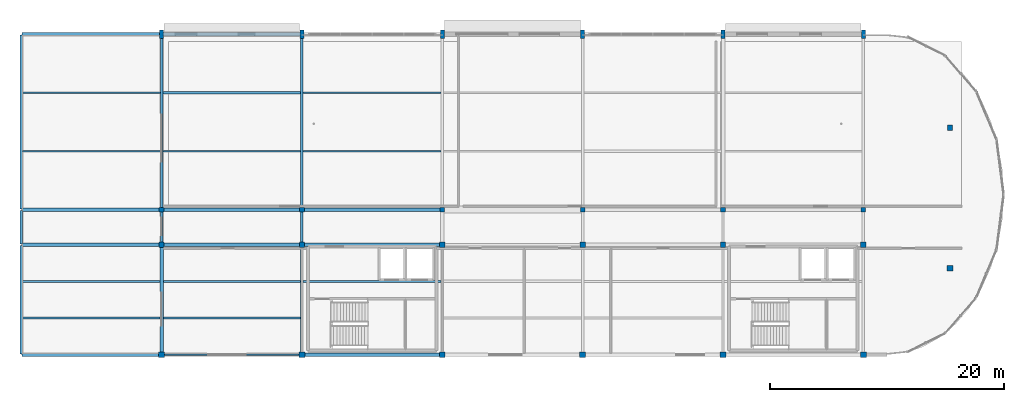
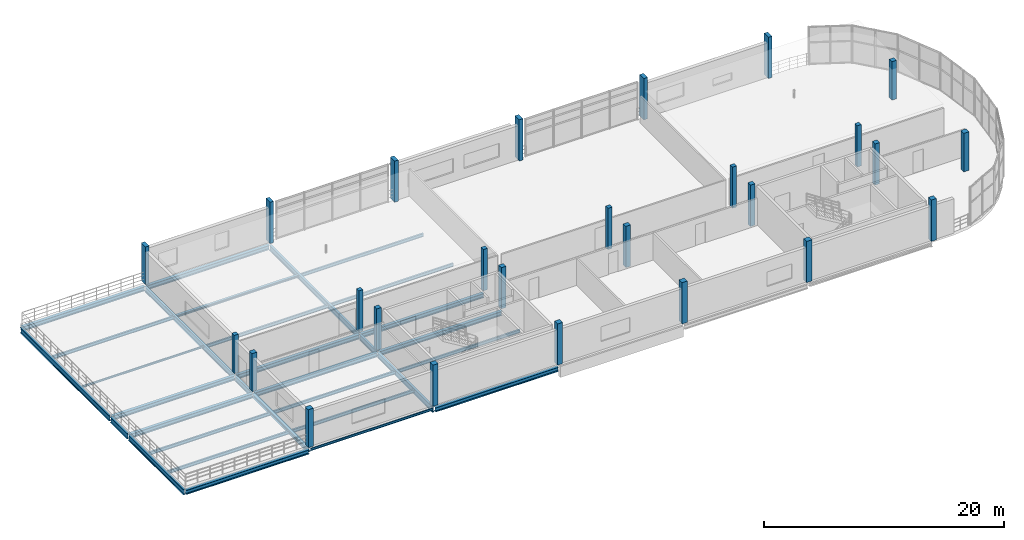
# One storey, part 1 of 13: 31 beams, 26 columns.
"""IFC4 building model written with IfcOpenShell, lengths in metres."""

from ifc_helpers import new_model, si_unit, direction, frame, origin, origin_2d, place, context, subcontext, project, spatial, rectangle, i_section, extrude, material, material_profile, profile_set, type_object, element, save


model = new_model("IFC4")

# Units and contexts
model_context = context("Model", 3, precision=1e-05, world=origin(), true_north=direction((0.0, 1.0)))
body_context = subcontext(model_context, "Body", "Model", "MODEL_VIEW")
ifc_project = project(units=[si_unit("LENGTHUNIT", "METRE"), si_unit("AREAUNIT", "SQUARE_METRE"), si_unit("VOLUMEUNIT", "CUBIC_METRE"), si_unit("PLANEANGLEUNIT", "RADIAN"), si_unit("MASSUNIT", "GRAM", prefix="KILO"), si_unit("THERMODYNAMICTEMPERATUREUNIT", "KELVIN"), si_unit("POWERUNIT", "WATT")], contexts=[model_context])

# Site, building, storey
site_placement = place(None, origin())
site = spatial("IfcSite", under=ifc_project, at=site_placement, CompositionType="ELEMENT")
building_placement = place(site_placement, origin())
building = spatial("IfcBuilding", under=site, at=building_placement, Name="Solmara Park Aquatics Centre", CompositionType="ELEMENT")
storey_placement = place(building_placement, frame((0.0, 0.0, 14.39990234375)))
storey = spatial("IfcBuildingStorey", under=building, at=storey_placement, Name="L03", CompositionType="ELEMENT", Elevation=14.39990234375)

# Columns
ifc_material_1 = material(Name="Concrete C40/50", Category="concrete")
ifc_material_profile_1 = material_profile(ifc_material_1, rectangle(XDim=0.35009765625, YDim=0.699951171875, at=origin_2d()), Name="RC 350x700")
ifc_profile_set_1 = profile_set([ifc_material_profile_1], Name="Concrete C40/50")
column_type_1 = type_object("IfcColumnType", Name="STR-COL-RC350x700", PredefinedType="COLUMN", material=ifc_profile_set_1)
column_1_placement = place(storey_placement, frame((36.60009765625, 136.0, 0.0), z_axis=(0.0, 0.0, 1.0), x_axis=(1.0, 0.0, 0.0)))
element("IfcColumn", 1, at=column_1_placement, inside=storey, type_object=column_type_1, Name="Column L03-0565", PredefinedType="COLUMN", context=body_context, shape_type="SweptSolid", body=[
    extrude(rectangle(XDim=0.35009765625, YDim=0.699951171875, at=origin_2d()), origin(), (0.0, 0.0, 1.0), 3.860107421875),
])
for number, where, z_axis, x_axis, name in (
    (2, (48.60009765625, 136.0, 0.0), (0.0, 0.0, 1.0), (1.0, 0.0, 0.0), "Column L03-0569"),
    (3, (60.60009765625, 136.0, 0.0), (0.0, 0.0, 1.0), (1.0, 0.0, 0.0), "Column L03-0573"),
    (4, (72.60009765625, 136.0, 0.0), (0.0, 0.0, 1.0), (1.0, 0.0, 0.0), "Column L03-0577"),
    (5, (84.60009765625, 136.0, 0.0), (0.0, 0.0, 1.0), (1.0, 0.0, 0.0), "Column L03-0581"),
    (6, (96.60009765625, 136.0, 0.0), (0.0, 0.0, 1.0), (1.0, 0.0, 0.0), "Column L03-0585"),
):
    element("IfcColumn", number, at=place(storey_placement, frame(where, z_axis=z_axis, x_axis=x_axis)), inside=storey, type_object=column_type_1, Name=name, PredefinedType="COLUMN", context=body_context, shape_type="SweptSolid", body=[
        extrude(rectangle(XDim=0.35009765625, YDim=0.699951171875, at=origin_2d()), origin(), (0.0, 0.0, 1.0), 4.2001953125),
    ])
ifc_material_profile_2 = material_profile(ifc_material_1, rectangle(XDim=0.39990234375, YDim=0.39990234375, at=origin_2d()), Name="RC 400x400")
ifc_profile_set_2 = profile_set([ifc_material_profile_2], Name="Concrete C40/50")
column_type_2 = type_object("IfcColumnType", Name="STR-COL-RC400", PredefinedType="COLUMN", material=ifc_profile_set_2)
column_2_placement = place(storey_placement, frame((36.60009765625, 121.0, 0.0), z_axis=(0.0, 0.0, 1.0), x_axis=(1.0, 0.0, 0.0)))
element("IfcColumn", 7, at=column_2_placement, inside=storey, type_object=column_type_2, Name="Column L03-0564", PredefinedType="COLUMN", context=body_context, shape_type="SweptSolid", body=[
    extrude(rectangle(XDim=0.39990234375, YDim=0.39990234375, at=origin_2d()), origin(), (0.0, 0.0, 1.0), 3.860107421875),
])
for number, where, z_axis, x_axis, name in (
    (8, (48.60009765625, 121.0, 0.0), (0.0, 0.0, 1.0), (1.0, 0.0, 0.0), "Column L03-0568"),
    (9, (60.60009765625, 121.0, 0.0), (0.0, 0.0, 1.0), (1.0, 0.0, 0.0), "Column L03-0572"),
    (10, (72.60009765625, 121.0, 0.0), (0.0, 0.0, 1.0), (1.0, 0.0, 0.0), "Column L03-0576"),
    (11, (84.60009765625, 121.0, 0.0), (0.0, 0.0, 1.0), (1.0, 0.0, 0.0), "Column L03-0580"),
    (12, (96.60009765625, 121.0, 0.0), (0.0, 0.0, 1.0), (1.0, 0.0, 0.0), "Column L03-0584"),
):
    element("IfcColumn", number, at=place(storey_placement, frame(where, z_axis=z_axis, x_axis=x_axis)), inside=storey, type_object=column_type_2, Name=name, PredefinedType="COLUMN", context=body_context, shape_type="SweptSolid", body=[
        extrude(rectangle(XDim=0.39990234375, YDim=0.39990234375, at=origin_2d()), origin(), (0.0, 0.0, 1.0), 4.2001953125),
    ])
ifc_material_profile_3 = material_profile(ifc_material_1, rectangle(XDim=0.449951171875, YDim=0.449951171875, at=origin_2d()), Name="RC 450x450")
ifc_profile_set_3 = profile_set([ifc_material_profile_3], Name="Concrete C40/50")
column_type_3 = type_object("IfcColumnType", Name="STR-COL-RC450", PredefinedType="COLUMN", material=ifc_profile_set_3)
column_3_placement = place(storey_placement, frame((36.60009765625, 118.0, 0.0), z_axis=(0.0, 0.0, 1.0), x_axis=(1.0, 0.0, 0.0)))
element("IfcColumn", 13, at=column_3_placement, inside=storey, type_object=column_type_3, Name="Column L03-0563", PredefinedType="COLUMN", context=body_context, shape_type="SweptSolid", body=[
    extrude(rectangle(XDim=0.449951171875, YDim=0.449951171875, at=origin_2d()), origin(), (0.0, 0.0, 1.0), 3.860107421875),
])
for number, where, z_axis, x_axis, name in (
    (14, (48.60009765625, 118.0, 0.0), (0.0, 0.0, 1.0), (1.0, 0.0, 0.0), "Column L03-0567"),
    (15, (60.60009765625, 118.0, 0.0), (0.0, 0.0, 1.0), (1.0, 0.0, 0.0), "Column L03-0571"),
    (16, (72.60009765625, 118.0, 0.0), (0.0, 0.0, 1.0), (1.0, 0.0, 0.0), "Column L03-0575"),
    (17, (84.60009765625, 118.0, 0.0), (0.0, 0.0, 1.0), (1.0, 0.0, 0.0), "Column L03-0579"),
    (18, (96.60009765625, 118.0, 0.0), (0.0, 0.0, 1.0), (1.0, 0.0, 0.0), "Column L03-0583"),
):
    element("IfcColumn", number, at=place(storey_placement, frame(where, z_axis=z_axis, x_axis=x_axis)), inside=storey, type_object=column_type_3, Name=name, PredefinedType="COLUMN", context=body_context, shape_type="SweptSolid", body=[
        extrude(rectangle(XDim=0.449951171875, YDim=0.449951171875, at=origin_2d()), origin(), (0.0, 0.0, 1.0), 4.2001953125),
    ])
column_4_placement = place(storey_placement, frame((104.0, 128.0, 0.0), z_axis=(0.0, 0.0, 1.0), x_axis=(1.0, 0.0, 0.0)))
element("IfcColumn", 19, at=column_4_placement, inside=storey, type_object=column_type_3, Name="Column L03-0587", PredefinedType="COLUMN", context=body_context, shape_type="SweptSolid", body=[
    extrude(rectangle(XDim=0.449951171875, YDim=0.449951171875, at=origin_2d()), origin(), (0.0, 0.0, 1.0), 3.920166015625),
])
ifc_material_profile_4 = material_profile(ifc_material_1, rectangle(XDim=0.5, YDim=0.5, at=origin_2d()), Name="RC 500x500")
ifc_profile_set_4 = profile_set([ifc_material_profile_4], Name="Concrete C40/50")
column_type_4 = type_object("IfcColumnType", Name="STR-COL-RC500", PredefinedType="COLUMN", material=ifc_profile_set_4)
column_5_placement = place(storey_placement, frame((36.60009765625, 108.60009765625, 0.0), z_axis=(0.0, 0.0, 1.0), x_axis=(1.0, 0.0, 0.0)))
element("IfcColumn", 20, at=column_5_placement, inside=storey, type_object=column_type_4, Name="Column L03-0562", PredefinedType="COLUMN", context=body_context, shape_type="SweptSolid", body=[
    extrude(rectangle(XDim=0.5, YDim=0.5, at=origin_2d()), origin(), (0.0, 0.0, 1.0), 3.860107421875),
])
for number, where, z_axis, x_axis, name in (
    (21, (48.60009765625, 108.60009765625, 0.0), (0.0, 0.0, 1.0), (1.0, 0.0, 0.0), "Column L03-0566"),
    (22, (60.60009765625, 108.60009765625, 0.0), (0.0, 0.0, 1.0), (1.0, 0.0, 0.0), "Column L03-0570"),
    (23, (72.60009765625, 108.60009765625, 0.0), (0.0, 0.0, 1.0), (1.0, 0.0, 0.0), "Column L03-0574"),
    (24, (84.60009765625, 108.60009765625, 0.0), (0.0, 0.0, 1.0), (1.0, 0.0, 0.0), "Column L03-0578"),
    (25, (96.60009765625, 108.60009765625, 0.0), (0.0, 0.0, 1.0), (1.0, 0.0, 0.0), "Column L03-0582"),
):
    element("IfcColumn", number, at=place(storey_placement, frame(where, z_axis=z_axis, x_axis=x_axis)), inside=storey, type_object=column_type_4, Name=name, PredefinedType="COLUMN", context=body_context, shape_type="SweptSolid", body=[
        extrude(rectangle(XDim=0.5, YDim=0.5, at=origin_2d()), origin(), (0.0, 0.0, 1.0), 4.2001953125),
    ])
column_6_placement = place(storey_placement, frame((104.0, 116.0, 0.0), z_axis=(0.0, 0.0, 1.0), x_axis=(1.0, 0.0, 0.0)))
element("IfcColumn", 26, at=column_6_placement, inside=storey, type_object=column_type_4, Name="Column L03-0586", PredefinedType="COLUMN", context=body_context, shape_type="SweptSolid", body=[
    extrude(rectangle(XDim=0.5, YDim=0.5, at=origin_2d()), origin(), (0.0, 0.0, 1.0), 3.920166015625),
])

# Beams
ifc_material_2 = material(Name="Structural Steel S355", Category="steel")
ifc_material_profile_5 = material_profile(ifc_material_2, i_section(OverallWidth=0.300048828125, OverallDepth=0.389892578125, WebThickness=0.010986328125, FlangeThickness=0.01904296875, FilletRadius=0.027099609375, at=origin_2d()), Name="HEA 400")
ifc_profile_set_5 = profile_set([ifc_material_profile_5], Name="Structural Steel S355")
beam_type_1 = type_object("IfcBeamType", Name="STR-BM-HEA400", PredefinedType="BEAM", material=ifc_profile_set_5)
beam_1_placement = place(storey_placement, frame((36.60009765625, 108.679931640625, -0.514892578125), z_axis=(0.0, 1.0, 0.0), x_axis=(-1.0, 0.0, 0.0)))
element("IfcBeam", 27, at=beam_1_placement, inside=storey, type_object=beam_type_1, Name="Girder BM-L03-0462", PredefinedType="BEAM", context=body_context, shape_type="SweptSolid", body=[
    extrude(i_section(OverallWidth=0.300048828125, OverallDepth=0.389892578125, WebThickness=0.010986328125, FlangeThickness=0.01904296875, FilletRadius=0.027099609375, at=origin_2d()), origin(), (0.0, 0.0, 1.0), 9.239990234375),
])
ifc_material_profile_6 = material_profile(ifc_material_2, i_section(OverallWidth=0.300048828125, OverallDepth=0.43994140625, WebThickness=0.011474609375, FlangeThickness=0.02099609375, FilletRadius=0.027099609375, at=origin_2d()), Name="HEA 450")
ifc_profile_set_6 = profile_set([ifc_material_profile_6], Name="Structural Steel S355")
beam_type_2 = type_object("IfcBeamType", Name="STR-BM-HEA450", PredefinedType="BEAM", material=ifc_profile_set_6)
for number, where, z_axis, x_axis, name in (
    (28, (24.679931640625, 108.60009765625, -0.539794921875), (1.0, 0.0, 0.0), (0.0, 1.0, 0.0), "Girder BM-L03-0435"),
    (29, (48.679931640625, 108.60009765625, -0.539794921875), (1.0, 0.0, 0.0), (0.0, 1.0, 0.0), "Girder BM-L03-0437"),
    (30, (24.679931640625, 118.0, -0.539794921875), (1.0, 0.0, 0.0), (0.0, 1.0, 0.0), "Girder BM-L03-0441"),
    (31, (36.679931640625, 118.0, -0.539794921875), (1.0, 0.0, 0.0), (0.0, 1.0, 0.0), "Girder BM-L03-0442"),
    (32, (48.679931640625, 118.0, -0.539794921875), (1.0, 0.0, 0.0), (0.0, 1.0, 0.0), "Girder BM-L03-0443"),
    (33, (24.679931640625, 121.0, -0.539794921875), (1.0, 0.0, 0.0), (0.0, 1.0, 0.0), "Girder BM-L03-0447"),
    (34, (36.679931640625, 121.0, -0.539794921875), (1.0, 0.0, 0.0), (0.0, 1.0, 0.0), "Girder BM-L03-0448"),
    (35, (48.679931640625, 121.0, -0.539794921875), (1.0, 0.0, 0.0), (0.0, 1.0, 0.0), "Girder BM-L03-0449"),
    (36, (24.679931640625, 136.0, -0.539794921875), (1.0, 0.0, 0.0), (0.0, 1.0, 0.0), "Girder BM-L03-0453"),
    (37, (36.679931640625, 136.0, -0.539794921875), (1.0, 0.0, 0.0), (0.0, 1.0, 0.0), "Girder BM-L03-0454"),
):
    element("IfcBeam", number, at=place(storey_placement, frame(where, z_axis=z_axis, x_axis=x_axis)), inside=storey, type_object=beam_type_2, Name=name, PredefinedType="BEAM", context=body_context, shape_type="SweptSolid", body=[
        extrude(i_section(OverallWidth=0.300048828125, OverallDepth=0.43994140625, WebThickness=0.011474609375, FlangeThickness=0.02099609375, FilletRadius=0.027099609375, at=origin_2d()), origin(), (0.0, 0.0, 1.0), 11.840087890625),
    ])
ifc_material_profile_7 = material_profile(ifc_material_2, i_section(OverallWidth=0.2099609375, OverallDepth=0.550048828125, WebThickness=0.010986328125, FlangeThickness=0.01708984375, FilletRadius=0.02392578125, at=origin_2d()), Name="IPE 550")
ifc_profile_set_7 = profile_set([ifc_material_profile_7], Name="Structural Steel S355")
beam_type_3 = type_object("IfcBeamType", Name="STR-BM-IPE550", PredefinedType="BEAM", material=ifc_profile_set_7)
beam_2_placement = place(storey_placement, frame((24.60009765625, 108.679931640625, -0.594970703125), z_axis=(0.0, 1.0, 0.0), x_axis=(-1.0, 0.0, 0.0)))
element("IfcBeam", 38, at=beam_2_placement, inside=storey, type_object=beam_type_3, Name="Girder BM-L03-0459", PredefinedType="BEAM", context=body_context, shape_type="SweptSolid", body=[
    extrude(i_section(OverallWidth=0.2099609375, OverallDepth=0.550048828125, WebThickness=0.010986328125, FlangeThickness=0.01708984375, FilletRadius=0.02392578125, at=origin_2d()), origin(), (0.0, 0.0, 1.0), 9.239990234375),
])
beam_3_placement = place(storey_placement, frame((24.60009765625, 118.080078125, -0.594970703125), z_axis=(0.0, 1.0, 0.0), x_axis=(-1.0, 0.0, 0.0)))
element("IfcBeam", 39, at=beam_3_placement, inside=storey, type_object=beam_type_3, Name="Girder BM-L03-0460", PredefinedType="BEAM", context=body_context, shape_type="SweptSolid", body=[
    extrude(i_section(OverallWidth=0.2099609375, OverallDepth=0.550048828125, WebThickness=0.010986328125, FlangeThickness=0.01708984375, FilletRadius=0.02392578125, at=origin_2d()), origin(), (0.0, 0.0, 1.0), 2.83984375),
])
beam_4_placement = place(storey_placement, frame((24.60009765625, 121.080078125, -0.594970703125), z_axis=(0.0, 1.0, 0.0), x_axis=(-1.0, 0.0, 0.0)))
element("IfcBeam", 40, at=beam_4_placement, inside=storey, type_object=beam_type_3, Name="Girder BM-L03-0461", PredefinedType="BEAM", context=body_context, shape_type="SweptSolid", body=[
    extrude(i_section(OverallWidth=0.2099609375, OverallDepth=0.550048828125, WebThickness=0.010986328125, FlangeThickness=0.01708984375, FilletRadius=0.02392578125, at=origin_2d()), origin(), (0.0, 0.0, 1.0), 14.83984375),
])
beam_5_placement = place(storey_placement, frame((36.60009765625, 118.080078125, -0.594970703125), z_axis=(0.0, 1.0, 0.0), x_axis=(-1.0, 0.0, 0.0)))
element("IfcBeam", 41, at=beam_5_placement, inside=storey, type_object=beam_type_3, Name="Girder BM-L03-0463", PredefinedType="BEAM", context=body_context, shape_type="SweptSolid", body=[
    extrude(i_section(OverallWidth=0.2099609375, OverallDepth=0.550048828125, WebThickness=0.010986328125, FlangeThickness=0.01708984375, FilletRadius=0.02392578125, at=origin_2d()), origin(), (0.0, 0.0, 1.0), 2.83984375),
])
beam_6_placement = place(storey_placement, frame((36.60009765625, 121.080078125, -0.594970703125), z_axis=(0.0, 1.0, 0.0), x_axis=(-1.0, 0.0, 0.0)))
element("IfcBeam", 42, at=beam_6_placement, inside=storey, type_object=beam_type_3, Name="Girder BM-L03-0464", PredefinedType="BEAM", context=body_context, shape_type="SweptSolid", body=[
    extrude(i_section(OverallWidth=0.2099609375, OverallDepth=0.550048828125, WebThickness=0.010986328125, FlangeThickness=0.01708984375, FilletRadius=0.02392578125, at=origin_2d()), origin(), (0.0, 0.0, 1.0), 14.83984375),
])
beam_7_placement = place(storey_placement, frame((48.60009765625, 108.679931640625, -0.594970703125), z_axis=(0.0, 1.0, 0.0), x_axis=(-1.0, 0.0, 0.0)))
element("IfcBeam", 43, at=beam_7_placement, inside=storey, type_object=beam_type_3, Name="Girder BM-L03-0465", PredefinedType="BEAM", context=body_context, shape_type="SweptSolid", body=[
    extrude(i_section(OverallWidth=0.2099609375, OverallDepth=0.550048828125, WebThickness=0.010986328125, FlangeThickness=0.01708984375, FilletRadius=0.02392578125, at=origin_2d()), origin(), (0.0, 0.0, 1.0), 9.239990234375),
])
beam_8_placement = place(storey_placement, frame((48.60009765625, 118.080078125, -0.594970703125), z_axis=(0.0, 1.0, 0.0), x_axis=(-1.0, 0.0, 0.0)))
element("IfcBeam", 44, at=beam_8_placement, inside=storey, type_object=beam_type_3, Name="Girder BM-L03-0466", PredefinedType="BEAM", context=body_context, shape_type="SweptSolid", body=[
    extrude(i_section(OverallWidth=0.2099609375, OverallDepth=0.550048828125, WebThickness=0.010986328125, FlangeThickness=0.01708984375, FilletRadius=0.02392578125, at=origin_2d()), origin(), (0.0, 0.0, 1.0), 2.83984375),
])
beam_9_placement = place(storey_placement, frame((48.60009765625, 121.080078125, -0.594970703125), z_axis=(0.0, 1.0, 0.0), x_axis=(-1.0, 0.0, 0.0)))
element("IfcBeam", 45, at=beam_9_placement, inside=storey, type_object=beam_type_3, Name="Girder BM-L03-0467", PredefinedType="BEAM", context=body_context, shape_type="SweptSolid", body=[
    extrude(i_section(OverallWidth=0.2099609375, OverallDepth=0.550048828125, WebThickness=0.010986328125, FlangeThickness=0.01708984375, FilletRadius=0.02392578125, at=origin_2d()), origin(), (0.0, 0.0, 1.0), 14.83984375),
])
ifc_material_profile_8 = material_profile(ifc_material_2, i_section(OverallWidth=0.239990234375, OverallDepth=0.22998046875, WebThickness=0.007568359375, FlangeThickness=0.011962890625, FilletRadius=0.02099609375, at=origin_2d()), Name="HEA 240")
ifc_profile_set_8 = profile_set([ifc_material_profile_8], Name="Structural Steel S355")
beam_type_4 = type_object("IfcBeamType", Name="STR-JST-HEA240", PredefinedType="JOIST", material=ifc_profile_set_8)
beam_10_placement = place(storey_placement, frame((36.705078125, 131.0, -0.434814453125), z_axis=(1.0, 0.0, 0.0), x_axis=(0.0, 1.0, 0.0)))
element("IfcBeam", 46, at=beam_10_placement, inside=storey, type_object=beam_type_4, Name="Floor Joist JST-L03-0249", PredefinedType="JOIST", context=body_context, shape_type="SweptSolid", body=[
    extrude(i_section(OverallWidth=0.239990234375, OverallDepth=0.22998046875, WebThickness=0.007568359375, FlangeThickness=0.011962890625, FilletRadius=0.02099609375, at=origin_2d()), origin(), (0.0, 0.0, 1.0), 11.7900390625),
])
ifc_material_profile_9 = material_profile(ifc_material_2, i_section(OverallWidth=0.10009765625, OverallDepth=0.199951171875, WebThickness=0.005615234375, FlangeThickness=0.008544921875, FilletRadius=0.011962890625, at=origin_2d()), Name="IPE 200")
ifc_profile_set_9 = profile_set([ifc_material_profile_9], Name="Structural Steel S355")
beam_type_5 = type_object("IfcBeamType", Name="STR-JST-IPE200", PredefinedType="JOIST", material=ifc_profile_set_9)
beam_11_placement = place(storey_placement, frame((24.705078125, 126.0, -0.419921875), z_axis=(1.0, 0.0, 0.0), x_axis=(0.0, 1.0, 0.0)))
element("IfcBeam", 47, at=beam_11_placement, inside=storey, type_object=beam_type_5, Name="Floor Joist JST-L03-0244", PredefinedType="JOIST", context=body_context, shape_type="SweptSolid", body=[
    extrude(i_section(OverallWidth=0.10009765625, OverallDepth=0.199951171875, WebThickness=0.005615234375, FlangeThickness=0.008544921875, FilletRadius=0.011962890625, at=origin_2d()), origin(), (0.0, 0.0, 1.0), 11.7900390625),
])
ifc_material_profile_10 = material_profile(ifc_material_2, i_section(OverallWidth=0.159912109375, OverallDepth=0.330078125, WebThickness=0.007568359375, FlangeThickness=0.011474609375, FilletRadius=0.01806640625, at=origin_2d()), Name="IPE 330")
ifc_profile_set_10 = profile_set([ifc_material_profile_10], Name="Structural Steel S355")
beam_type_6 = type_object("IfcBeamType", Name="STR-JST-IPE330", PredefinedType="JOIST", material=ifc_profile_set_10)
for number, where, z_axis, x_axis, name in (
    (48, (24.705078125, 111.7333984375, -0.48486328125), (1.0, 0.0, 0.0), (0.0, 1.0, 0.0), "Floor Joist JST-L03-0242"),
    (49, (24.705078125, 114.86669921875, -0.48486328125), (1.0, 0.0, 0.0), (0.0, 1.0, 0.0), "Floor Joist JST-L03-0243"),
):
    element("IfcBeam", number, at=place(storey_placement, frame(where, z_axis=z_axis, x_axis=x_axis)), inside=storey, type_object=beam_type_6, Name=name, PredefinedType="JOIST", context=body_context, shape_type="SweptSolid", body=[
        extrude(i_section(OverallWidth=0.159912109375, OverallDepth=0.330078125, WebThickness=0.007568359375, FlangeThickness=0.011474609375, FilletRadius=0.01806640625, at=origin_2d()), origin(), (0.0, 0.0, 1.0), 11.744873046875),
    ])
beam_12_placement = place(storey_placement, frame((24.705078125, 131.0, -0.48486328125), z_axis=(1.0, 0.0, 0.0), x_axis=(0.0, 1.0, 0.0)))
element("IfcBeam", 50, at=beam_12_placement, inside=storey, type_object=beam_type_6, Name="Floor Joist JST-L03-0245", PredefinedType="JOIST", context=body_context, shape_type="SweptSolid", body=[
    extrude(i_section(OverallWidth=0.159912109375, OverallDepth=0.330078125, WebThickness=0.007568359375, FlangeThickness=0.011474609375, FilletRadius=0.01806640625, at=origin_2d()), origin(), (0.0, 0.0, 1.0), 11.7900390625),
])
for number, where, z_axis, x_axis, name in (
    (51, (36.75, 111.7333984375, -0.48486328125), (1.0, 0.0, 0.0), (0.0, 1.0, 0.0), "Floor Joist JST-L03-0246"),
    (52, (36.75, 114.86669921875, -0.48486328125), (1.0, 0.0, 0.0), (0.0, 1.0, 0.0), "Floor Joist JST-L03-0247"),
):
    element("IfcBeam", number, at=place(storey_placement, frame(where, z_axis=z_axis, x_axis=x_axis)), inside=storey, type_object=beam_type_6, Name=name, PredefinedType="JOIST", context=body_context, shape_type="SweptSolid", body=[
        extrude(i_section(OverallWidth=0.159912109375, OverallDepth=0.330078125, WebThickness=0.007568359375, FlangeThickness=0.011474609375, FilletRadius=0.01806640625, at=origin_2d()), origin(), (0.0, 0.0, 1.0), 11.7451171875),
    ])
for number, where, z_axis, x_axis, name in (
    (53, (36.705078125, 126.0, -0.48486328125), (1.0, 0.0, 0.0), (0.0, 1.0, 0.0), "Floor Joist JST-L03-0248"),
    (54, (48.705078125, 114.86669921875, -0.48486328125), (1.0, 0.0, 0.0), (0.0, 1.0, 0.0), "Floor Joist JST-L03-0250"),
    (55, (48.705078125, 126.0, -0.48486328125), (1.0, 0.0, 0.0), (0.0, 1.0, 0.0), "Floor Joist JST-L03-0251"),
    (56, (48.705078125, 131.0, -0.48486328125), (1.0, 0.0, 0.0), (0.0, 1.0, 0.0), "Floor Joist JST-L03-0252"),
):
    element("IfcBeam", number, at=place(storey_placement, frame(where, z_axis=z_axis, x_axis=x_axis)), inside=storey, type_object=beam_type_6, Name=name, PredefinedType="JOIST", context=body_context, shape_type="SweptSolid", body=[
        extrude(i_section(OverallWidth=0.159912109375, OverallDepth=0.330078125, WebThickness=0.007568359375, FlangeThickness=0.011474609375, FilletRadius=0.01806640625, at=origin_2d()), origin(), (0.0, 0.0, 1.0), 11.7900390625),
    ])
ifc_material_profile_11 = material_profile(ifc_material_2, i_section(OverallWidth=0.1201171875, OverallDepth=0.239990234375, WebThickness=0.006103515625, FlangeThickness=0.009765625, FilletRadius=0.014892578125, at=origin_2d()), Name="IPE 240")
ifc_profile_set_11 = profile_set([ifc_material_profile_11], Name="Structural Steel S355")
beam_type_7 = type_object("IfcBeamType", Name="STR-SPD-IPE240", PredefinedType="SPANDREL", material=ifc_profile_set_11)
beam_13_placement = place(storey_placement, frame((36.679931640625, 108.60009765625, -0.43994140625), z_axis=(1.0, 0.0, 0.0), x_axis=(0.0, 1.0, 0.0)))
element("IfcBeam", 57, at=beam_13_placement, inside=storey, type_object=beam_type_7, Name="Girder BM-L03-0436", PredefinedType="SPANDREL", context=body_context, shape_type="SweptSolid", body=[
    extrude(i_section(OverallWidth=0.1201171875, OverallDepth=0.239990234375, WebThickness=0.006103515625, FlangeThickness=0.009765625, FilletRadius=0.014892578125, at=origin_2d()), origin(), (0.0, 0.0, 1.0), 11.840087890625),
])

save(model, "model.ifc")
